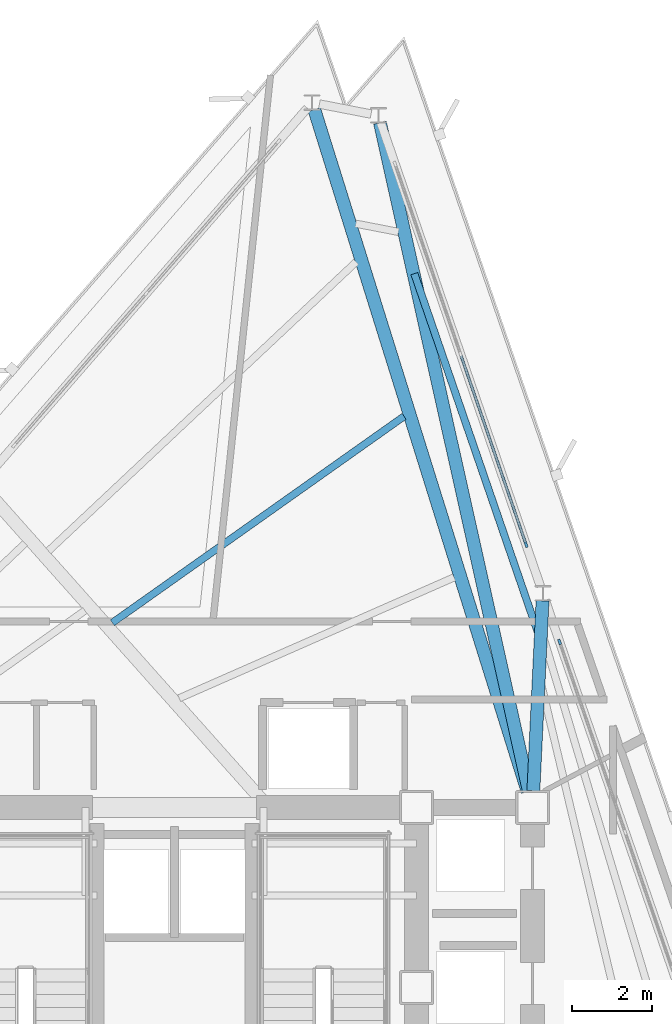
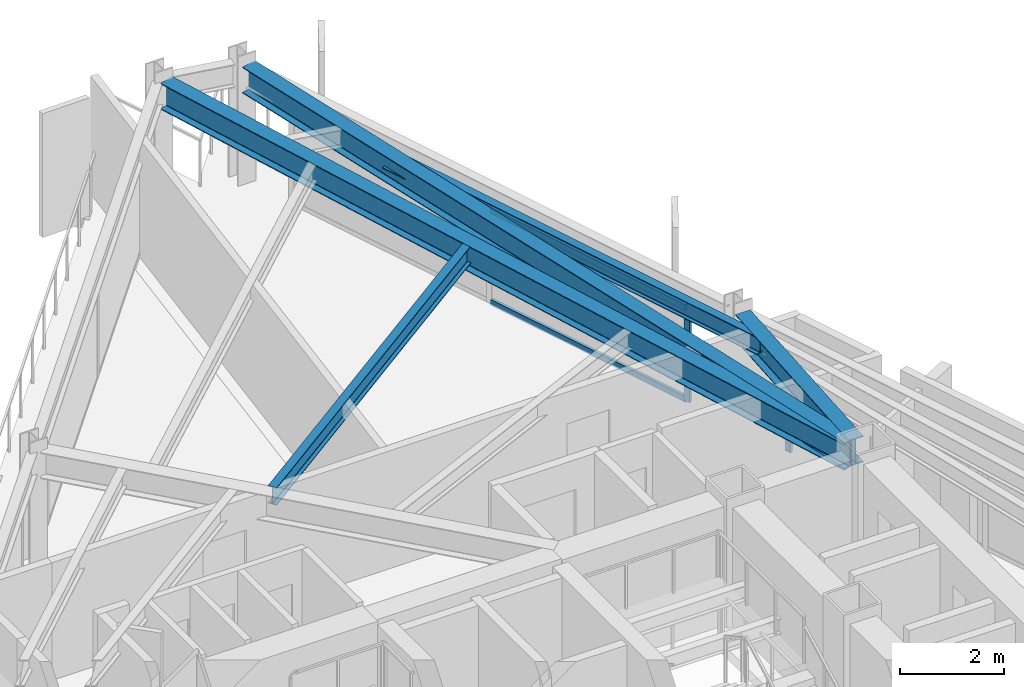
# One storey, part 5 of 13: 5 beams, 4 members, 2 elements without a shape of their own.
"""IFC4 building model written with IfcOpenShell, lengths in metres."""

from ifc_helpers import new_model, si_unit, direction, frame, origin, origin_2d, place, context, subcontext, project, spatial, rectangle, i_section, extrude, material, layer, layer_set, material_profile, profile_set, type_object, element, aggregate, save


model = new_model("IFC4")

# Units and contexts
model_context = context("Model", 3, precision=1e-05, world=origin(), true_north=direction((0.0, 1.0)))
body_context = subcontext(model_context, "Body", "Model", "MODEL_VIEW")
ifc_project = project(units=[si_unit("LENGTHUNIT", "METRE"), si_unit("AREAUNIT", "SQUARE_METRE"), si_unit("VOLUMEUNIT", "CUBIC_METRE"), si_unit("PLANEANGLEUNIT", "RADIAN"), si_unit("MASSUNIT", "GRAM", prefix="KILO")], contexts=[model_context])

# Site, building, storey
site_placement = place(None, origin())
site = spatial("IfcSite", under=ifc_project, at=site_placement, CompositionType="ELEMENT")
building_placement = place(site_placement, origin())
building = spatial("IfcBuilding", under=site, at=building_placement, Name="Rocaltana Carrier Exchange", CompositionType="ELEMENT")
storey_placement = place(building_placement, frame((0.0, 0.0, 162.39990234375)))
storey = spatial("IfcBuildingStorey", under=building, at=storey_placement, Name="L51", CompositionType="ELEMENT", Elevation=162.39990234375)

# Curtain wall, member
ifc_material_1 = material(Name="Aluminium 6063-T6", Category="aluminium")
ifc_layer = layer(ifc_material_1, 0.135009765625)
ifc_layer_set = layer_set([ifc_layer], Name="Aluminium 6063-T6")
curtain_wall_type = type_object("IfcCurtainWallType", Name="Upper-Mid Acoustic Curtain Wall CW-04", PredefinedType="NOTDEFINED", material=ifc_layer_set)
curtain_wall_1_placement = place(storey_placement, origin())
curtain_wall_1 = element("IfcCurtainWall", 1, at=curtain_wall_1_placement, inside=storey, type_object=curtain_wall_type, Name="L51 CW-04 Run CW-L51-F1S2", PredefinedType="NOTDEFINED")
ifc_material_2 = material(Name="Aluminium 6063-T6", Category="aluminium")
ifc_material_profile_1 = material_profile(ifc_material_2, rectangle(XDim=0.06494140625, YDim=0.135009765625, at=origin_2d()), Name="AL-65X135")
ifc_profile_set_1 = profile_set([ifc_material_profile_1], Name="Aluminium 6063-T6")
member_type_1 = type_object("IfcMemberType", Name="CW-04 Mullion AL-65X135", PredefinedType="MULLION", material=ifc_profile_set_1)
member_1_placement = place(storey_placement, frame((9.62548828125, 8.638671875, 0.0), z_axis=(0.0, 0.0, 1.0), x_axis=(-0.945520754562, -0.32556182622, 0.0)))
member_1 = element("IfcMember", 2, at=member_1_placement, type_object=member_type_1, Name="CW-04 mullion 3", PredefinedType="MULLION", context=body_context, shape_type="SweptSolid", body=[
    extrude(rectangle(XDim=0.06494140625, YDim=0.135009765625, at=origin_2d()), origin(), (0.0, 0.0, 1.0), 2.218017578125),
])
aggregate(curtain_wall_1, [member_1])

# Curtain wall, members
curtain_wall_2_placement = place(storey_placement, origin())
curtain_wall_2 = element("IfcCurtainWall", 3, at=curtain_wall_2_placement, inside=storey, type_object=curtain_wall_type, Name="L51 CW-04 Run CW-L51-F1S3", PredefinedType="NOTDEFINED")
member_2_placement = place(storey_placement, frame((8.79052734375, 11.063720703125, 0.0), z_axis=(0.0, 0.0, 1.0), x_axis=(-0.945521800517, -0.325558788464, 0.0)))
member_2 = element("IfcMember", 4, at=member_2_placement, type_object=member_type_1, Name="CW-04 mullion 1", PredefinedType="MULLION", context=body_context, shape_type="SweptSolid", body=[
    extrude(rectangle(XDim=0.06494140625, YDim=0.135009765625, at=origin_2d()), origin(), (0.0, 0.0, 1.0), 2.218017578125),
])
ifc_material_3 = material(Name="Aluminium 6063-T6", Category="aluminium")
ifc_material_profile_2 = material_profile(ifc_material_3, rectangle(XDim=0.06494140625, YDim=0.135009765625, at=origin_2d()), Name="AL-65X135")
ifc_profile_set_2 = profile_set([ifc_material_profile_2], Name="Aluminium 6063-T6")
member_type_2 = type_object("IfcMemberType", Name="CW-04 Transom AL-65X135", PredefinedType="USERDEFINED", material=ifc_profile_set_2)
member_3_placement = place(storey_placement, frame((8.77978515625, 11.094482421875, 0.03271484375), z_axis=(-0.325542462737, 0.945527421578, 0.0), x_axis=(-0.945527421578, -0.325542462737, 0.0)))
member_3 = element("IfcMember", 5, at=member_3_placement, type_object=member_type_2, Name="CW-04 transom 1.1", ObjectType="TRANSOM", PredefinedType="USERDEFINED", context=body_context, shape_type="SweptSolid", body=[
    extrude(rectangle(XDim=0.06494140625, YDim=0.135009765625, at=origin_2d()), origin(), (0.0, 0.0, 1.0), 4.96923828125),
])
member_4_placement = place(storey_placement, frame((8.77978515625, 11.094482421875, 2.185546875), z_axis=(-0.325542462737, 0.945527421578, 0.0), x_axis=(-0.945527421578, -0.325542462737, 0.0)))
member_4 = element("IfcMember", 6, at=member_4_placement, type_object=member_type_2, Name="CW-04 transom 1.2", ObjectType="TRANSOM", PredefinedType="USERDEFINED", context=body_context, shape_type="SweptSolid", body=[
    extrude(rectangle(XDim=0.06494140625, YDim=0.135009765625, at=origin_2d()), origin(), (0.0, 0.0, 1.0), 4.96923828125),
])
aggregate(curtain_wall_2, [member_2, member_3, member_4])

# Beams
ifc_material_4 = material(Name="Steel S355", Category="steel")
ifc_material_profile_3 = material_profile(ifc_material_4, i_section(OverallWidth=0.179931640625, OverallDepth=0.4130859375, WebThickness=0.009765625, FlangeThickness=0.01611328125, FilletRadius=0.012939453125, at=origin_2d()), Name="W16X50")
ifc_profile_set_3 = profile_set([ifc_material_profile_3], Name="Steel S355")
beam_type_1 = type_object("IfcBeamType", Name="Floor Joist W16X50", PredefinedType="JOIST", material=ifc_profile_set_3)
beam_1_placement = place(storey_placement, frame((9.1005859375, 8.8212890625, 2.58154296875), z_axis=(-0.325576687482, 0.9455156374, 0.0), x_axis=(-0.9455156374, -0.325576687482, 0.0)))
element("IfcBeam", 7, at=beam_1_placement, inside=storey, type_object=beam_type_1, Name="FJ-L51-03-3", PredefinedType="JOIST", context=body_context, shape_type="SweptSolid", body=[
    extrude(i_section(OverallWidth=0.179931640625, OverallDepth=0.4130859375, WebThickness=0.009765625, FlangeThickness=0.01611328125, FilletRadius=0.012939453125, at=origin_2d()), origin(), (0.0, 0.0, 1.0), 9.5419921875),
])
beam_2_placement = place(storey_placement, frame((5.737548828125, 14.27587890625, 2.58154296875), z_axis=(-0.816285489074, -0.577648682443, 0.0), x_axis=(0.577648682443, -0.816285489074, 0.0)))
element("IfcBeam", 8, at=beam_2_placement, inside=storey, type_object=beam_type_1, Name="FJ-L51-05-2", PredefinedType="JOIST", context=body_context, shape_type="SweptSolid", body=[
    extrude(i_section(OverallWidth=0.179931640625, OverallDepth=0.4130859375, WebThickness=0.009765625, FlangeThickness=0.01611328125, FilletRadius=0.012939453125, at=origin_2d()), origin(), (0.0, 0.0, 1.0), 8.931396484375),
])
ifc_material_5 = material(Name="Steel S355", Category="steel")
ifc_material_profile_4 = material_profile(ifc_material_5, i_section(OverallWidth=0.323974609375, OverallDepth=0.611083984375, WebThickness=0.0126953125, FlangeThickness=0.01904296875, FilletRadius=0.01611328125, at=origin_2d()), Name="W24X104")
ifc_profile_set_4 = profile_set([ifc_material_profile_4], Name="Steel S355")
beam_type_2 = type_object("IfcBeamType", Name="Radial Girder W24X104", PredefinedType="BEAM", material=ifc_profile_set_4)
beam_3_placement = place(storey_placement, frame((8.97021484375, 4.91650390625, 2.482666015625), z_axis=(0.048160355741, 0.998839616823, 0.0), x_axis=(-0.998839616823, 0.048160355741, 0.0)))
element("IfcBeam", 9, at=beam_3_placement, inside=storey, type_object=beam_type_2, Name="RG-L51-03", PredefinedType="BEAM", context=body_context, shape_type="SweptSolid", body=[
    extrude(i_section(OverallWidth=0.323974609375, OverallDepth=0.611083984375, WebThickness=0.0126953125, FlangeThickness=0.01904296875, FilletRadius=0.01611328125, at=origin_2d()), origin(), (0.0, 0.0, 1.0), 4.755126953125),
])
beam_4_placement = place(storey_placement, frame((8.859375, 4.906982421875, 2.482666015625), z_axis=(-0.21753898555, 0.976051632736, 0.0), x_axis=(-0.976051632736, -0.21753898555, 0.0)))
element("IfcBeam", 10, at=beam_4_placement, inside=storey, type_object=beam_type_2, Name="RG-L51-04", PredefinedType="BEAM", context=body_context, shape_type="SweptSolid", body=[
    extrude(i_section(OverallWidth=0.323974609375, OverallDepth=0.611083984375, WebThickness=0.0126953125, FlangeThickness=0.01904296875, FilletRadius=0.01611328125, at=origin_2d()), origin(), (0.0, 0.0, 1.0), 17.1181640625),
])
beam_5_placement = place(storey_placement, frame((8.825439453125, 4.89794921875, 2.482666015625), z_axis=(-0.298436914473, 0.954429362541, 0.0), x_axis=(-0.954429362541, -0.298436914473, 0.0)))
element("IfcBeam", 11, at=beam_5_placement, inside=storey, type_object=beam_type_2, Name="RG-L51-05", PredefinedType="BEAM", context=body_context, shape_type="SweptSolid", body=[
    extrude(i_section(OverallWidth=0.323974609375, OverallDepth=0.611083984375, WebThickness=0.0126953125, FlangeThickness=0.01904296875, FilletRadius=0.01611328125, at=origin_2d()), origin(), (0.0, 0.0, 1.0), 17.856689453125),
])

save(model, "model.ifc")
